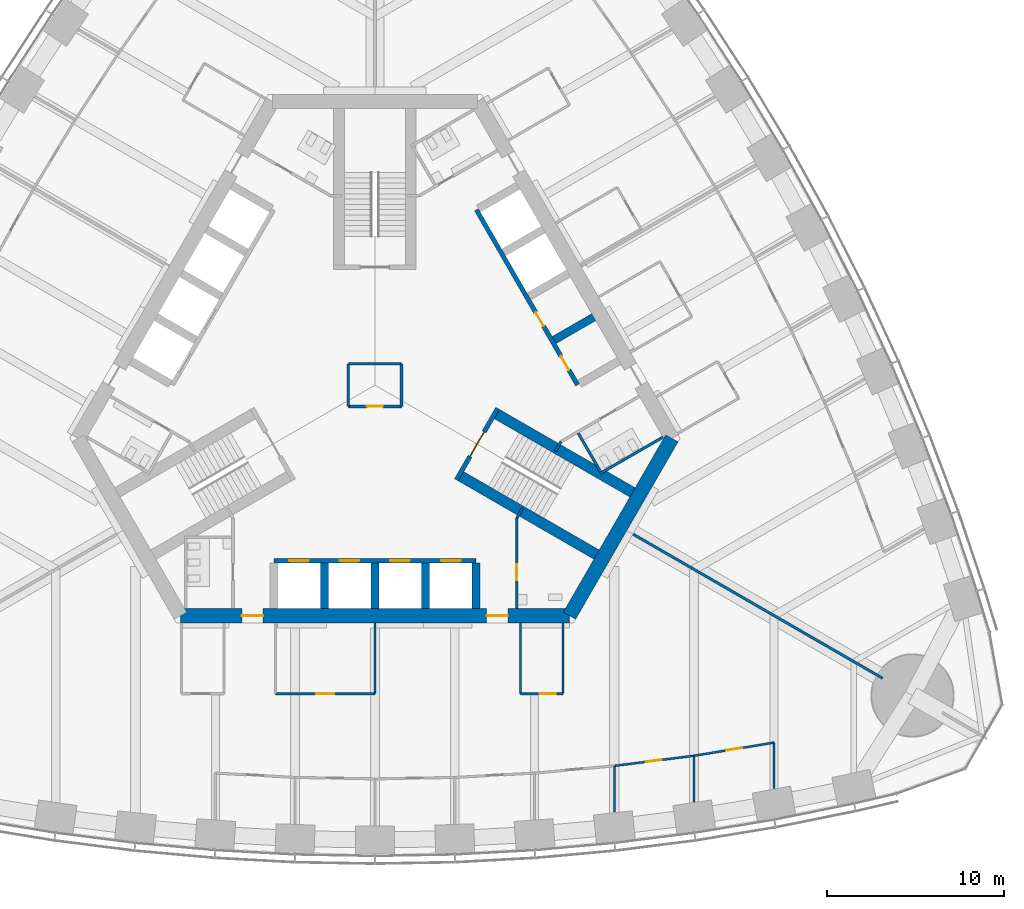
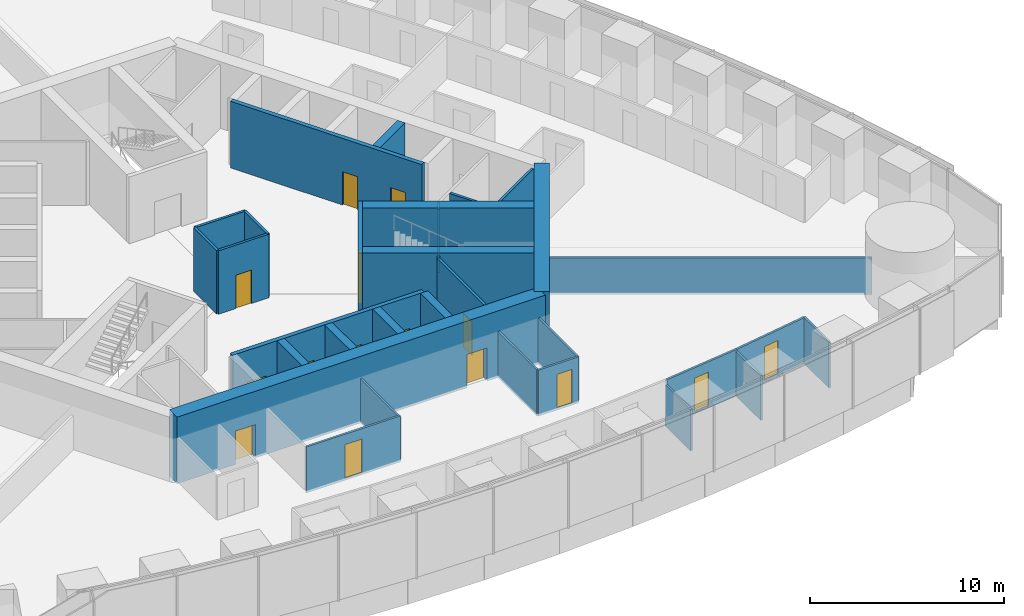
# One storey, part 11 of 19: 32 walls, 15 doors, 15 openings.
"""IFC4 building model written with IfcOpenShell, lengths in metres."""

from ifc_helpers import new_model, si_unit, direction, frame, frame_2d, origin, place, context, subcontext, project, spatial, rectangle, extrude, material, layer, layer_set, type_object, element, fill, save


model = new_model("IFC4")

# Units and contexts
model_context = context("Model", 3, precision=1e-05, world=origin(), true_north=direction((0.0, 1.0)))
body_context = subcontext(model_context, "Body", "Model", "MODEL_VIEW")
ifc_project = project(units=[si_unit("LENGTHUNIT", "METRE"), si_unit("AREAUNIT", "SQUARE_METRE"), si_unit("VOLUMEUNIT", "CUBIC_METRE"), si_unit("PLANEANGLEUNIT", "RADIAN"), si_unit("MASSUNIT", "GRAM", prefix="KILO")], contexts=[model_context])

# Site, building, storey
site_placement = place(None, origin())
site = spatial("IfcSite", under=ifc_project, at=site_placement, CompositionType="ELEMENT")
building_placement = place(site_placement, origin())
building = spatial("IfcBuilding", under=site, at=building_placement, Name="Trefoil Bronze Tower", CompositionType="ELEMENT")
storey_placement = place(building_placement, frame((0.0, 0.0, 107.300048828125)))
storey = spatial("IfcBuildingStorey", under=building, at=storey_placement, Name="L24", CompositionType="ELEMENT", Elevation=107.300048828125)

# Wall, openings, doors
ifc_material_1 = material(Name="Concrete B80", Category="concrete")
ifc_layer_1 = layer(ifc_material_1, 0.800048828125)
ifc_layer_set_1 = layer_set([ifc_layer_1], Name="Core wall 800")
wall_type_1 = type_object("IfcWallType", Name="Core wall 800", PredefinedType="SHEAR", material=ifc_layer_set_1)
wall_1_placement = place(storey_placement, frame((-10.9697265625, -13.0, 0.0), z_axis=(0.0, 0.0, 1.0), x_axis=(1.0, 0.0, 0.0)))
wall_1 = element("IfcWall", 1, at=wall_1_placement, inside=storey, type_object=wall_type_1, Name="Core long wall 1 L24", PredefinedType="SHEAR", context=body_context, shape_type="SweptSolid", body=[
    extrude(rectangle(XDim=21.939453125, YDim=0.800048828125, at=frame_2d((10.9697265625, 0.0))), origin(), (0.0, 0.0, 1.0), 4.199951171875),
])
opening_1_placement = place(wall_1_placement, frame((17.269775390625, 0.0, 0.0)))
opening_1 = element("IfcOpeningElement", 2, at=opening_1_placement, cuts=wall_1, Name="Opening D2", PredefinedType="OPENING", context=body_context, shape_type="SweptSolid", body=[
    extrude(rectangle(XDim=1.199951171875, YDim=2.10009765625, at=frame_2d((0.60009765625, 1.050048828125))), frame((0.0, 0.409912109375, 0.0), z_axis=(0.0, -1.0, 0.0), x_axis=(1.0, 0.0, 0.0)), (0.0, 0.0, 1.0), 0.820068359375),
])
opening_2_placement = place(wall_1_placement, frame((3.4697265625, 0.0, 0.0)))
opening_2 = element("IfcOpeningElement", 3, at=opening_2_placement, cuts=wall_1, Name="Opening D2", PredefinedType="OPENING", context=body_context, shape_type="SweptSolid", body=[
    extrude(rectangle(XDim=1.199951171875, YDim=2.10009765625, at=frame_2d((0.60009765625, 1.050048828125))), frame((0.0, 0.409912109375, 0.0), z_axis=(0.0, -1.0, 0.0), x_axis=(1.0, 0.0, 0.0)), (0.0, 0.0, 1.0), 0.820068359375),
])
ifc_material_2 = material(Name="Steel door", Category="steel")
door_type_1 = type_object("IfcDoorType", Name="Lobby door 1200", OperationType="SINGLE_SWING_RIGHT", PredefinedType="DOOR", material=ifc_material_2)
door_1_placement = place(opening_1_placement, origin())
door_1 = element("IfcDoor", 4, at=door_1_placement, inside=storey, type_object=door_type_1, Name="Lobby door F1+ L24", OperationType="SINGLE_SWING_RIGHT", OverallHeight=2.10009765625, OverallWidth=1.199951171875, PredefinedType="DOOR", context=body_context, shape_type="SweptSolid", body=[
    extrude(rectangle(XDim=1.199951171875, YDim=2.10009765625, at=frame_2d((0.60009765625, 1.050048828125))), frame((0.0, 0.02490234375, 0.0), z_axis=(0.0, -1.0, 0.0), x_axis=(1.0, 0.0, 0.0)), (0.0, 0.0, 1.0), 0.050048828125),
])
fill(opening_1, door_1)
door_2_placement = place(opening_2_placement, origin())
door_2 = element("IfcDoor", 5, at=door_2_placement, inside=storey, type_object=door_type_1, Name="Lobby door F1- L24", OperationType="SINGLE_SWING_LEFT", OverallHeight=2.10009765625, OverallWidth=1.199951171875, PredefinedType="DOOR", context=body_context, shape_type="SweptSolid", body=[
    extrude(rectangle(XDim=1.199951171875, YDim=2.10009765625, at=frame_2d((0.60009765625, 1.050048828125))), frame((0.0, 0.02490234375, 0.0), z_axis=(0.0, -1.0, 0.0), x_axis=(1.0, 0.0, 0.0)), (0.0, 0.0, 1.0), 0.050048828125),
])
fill(opening_2, door_2)

# Wall
wall_2_placement = place(storey_placement, frame((10.9697265625, -13.0, 0.0), z_axis=(0.0, 0.0, 1.0), x_axis=(0.499995765644, 0.866027848477, 0.0)))
element("IfcWall", 6, at=wall_2_placement, inside=storey, type_object=wall_type_1, Name="Core short wall 1 L24", PredefinedType="SHEAR", context=body_context, shape_type="SweptSolid", body=[
    extrude(rectangle(XDim=11.546875, YDim=0.800048828125, at=frame_2d((5.7734375, 0.0))), origin(), (0.0, 0.0, 1.0), 4.199951171875),
])

# Wall, opening, door
ifc_material_3 = material(Name="Glazed partition", Category="glass")
ifc_layer_2 = layer(ifc_material_3, 0.1201171875)
ifc_layer_set_2 = layer_set([ifc_layer_2], Name="Glazed partition 120")
wall_type_2 = type_object("IfcWallType", Name="Glazed partition 120", PredefinedType="PARTITIONING", material=ifc_layer_set_2)
wall_3_placement = place(storey_placement, frame((8.199951171875, -17.39990234375, 0.0), z_axis=(0.0, 0.0, 1.0), x_axis=(1.0, 0.0, 0.0)))
wall_3 = element("IfcWall", 7, at=wall_3_placement, inside=storey, type_object=wall_type_2, Name="Partition F1 L24", PredefinedType="PARTITIONING", context=body_context, shape_type="SweptSolid", body=[
    extrude(rectangle(XDim=2.400146484375, YDim=0.1201171875, at=frame_2d((1.2001953125, 0.0))), origin(), (0.0, 0.0, 1.0), 2.89990234375),
])
opening_3_placement = place(wall_3_placement, frame((1.10009765625, 0.0, 0.14990234375)))
opening_3 = element("IfcOpeningElement", 8, at=opening_3_placement, cuts=wall_3, Name="Opening D8", PredefinedType="OPENING", context=body_context, shape_type="SweptSolid", body=[
    extrude(rectangle(XDim=0.89990234375, YDim=2.10009765625, at=frame_2d((0.449951171875, 1.050048828125))), frame((0.0, 0.070068359375, 0.0), z_axis=(0.0, -1.0, 0.0), x_axis=(1.0, 0.0, 0.0)), (0.0, 0.0, 1.0), 0.14013671875),
])
ifc_material_4 = material(Name="Timber door", Category="wood")
door_type_2 = type_object("IfcDoorType", Name="Office door 900", OperationType="SINGLE_SWING_LEFT", PredefinedType="DOOR", material=ifc_material_4)
door_3_placement = place(opening_3_placement, origin())
door_3 = element("IfcDoor", 9, at=door_3_placement, inside=storey, type_object=door_type_2, Name="Print and store room door F1 L24", OperationType="SINGLE_SWING_RIGHT", OverallHeight=2.10009765625, OverallWidth=0.89990234375, PredefinedType="DOOR", context=body_context, shape_type="SweptSolid", body=[
    extrude(rectangle(XDim=0.89990234375, YDim=2.10009765625, at=frame_2d((0.449951171875, 1.050048828125))), frame((0.0, 0.02490234375, 0.0), z_axis=(0.0, -1.0, 0.0), x_axis=(1.0, 0.0, 0.0)), (0.0, 0.0, 1.0), 0.050048828125),
])
fill(opening_3, door_3)

wall_4_placement = place(storey_placement, frame((-5.60009765625, -17.39990234375, 0.0), z_axis=(0.0, 0.0, 1.0), x_axis=(1.0, 0.0, 0.0)))
wall_4 = element("IfcWall", 10, at=wall_4_placement, inside=storey, type_object=wall_type_2, Name="Partition F1 L24", PredefinedType="PARTITIONING", context=body_context, shape_type="SweptSolid", body=[
    extrude(rectangle(XDim=5.60009765625, YDim=0.1201171875, at=frame_2d((2.800048828125, 0.0))), origin(), (0.0, 0.0, 1.0), 2.89990234375),
])
opening_4_placement = place(wall_4_placement, frame((2.300048828125, 0.0, 0.14990234375)))
opening_4 = element("IfcOpeningElement", 11, at=opening_4_placement, cuts=wall_4, Name="Opening D9", PredefinedType="OPENING", context=body_context, shape_type="SweptSolid", body=[
    extrude(rectangle(XDim=1.0, YDim=2.10009765625, at=frame_2d((0.5, 1.050048828125))), frame((0.0, 0.070068359375, 0.0), z_axis=(0.0, -1.0, 0.0), x_axis=(1.0, 0.0, 0.0)), (0.0, 0.0, 1.0), 0.14013671875),
])
ifc_material_5 = material(Name="Glazed timber door", Category="wood")
door_type_3 = type_object("IfcDoorType", Name="Meeting room door 1000", OperationType="SINGLE_SWING_LEFT", PredefinedType="DOOR", material=ifc_material_5)
door_4_placement = place(opening_4_placement, origin())
door_4 = element("IfcDoor", 12, at=door_4_placement, inside=storey, type_object=door_type_3, Name="Meeting room door F1 L24", OperationType="SINGLE_SWING_LEFT", OverallHeight=2.10009765625, OverallWidth=1.0, PredefinedType="DOOR", context=body_context, shape_type="SweptSolid", body=[
    extrude(rectangle(XDim=1.0, YDim=2.10009765625, at=frame_2d((0.5, 1.050048828125))), frame((0.0, 0.02490234375, 0.0), z_axis=(0.0, -1.0, 0.0), x_axis=(1.0, 0.0, 0.0)), (0.0, 0.0, 1.0), 0.050048828125),
])
fill(opening_4, door_4)

# Walls
for number, where, z_axis, x_axis, name in (
    (13, (10.60009765625, -13.39990234375, 0.0), (0.0, 0.0, 1.0), (0.0, -1.0, 0.0), "Partition F1 L24"),
    (14, (8.199951171875, -13.39990234375, 0.0), (0.0, 0.0, 1.0), (0.0, -1.0, 0.0), "Partition F1 L24"),
):
    element("IfcWall", number, at=place(storey_placement, frame(where, z_axis=z_axis, x_axis=x_axis)), inside=storey, type_object=wall_type_2, Name=name, PredefinedType="PARTITIONING", context=body_context, shape_type="SweptSolid", body=[
        extrude(rectangle(XDim=4.0, YDim=0.1201171875, at=frame_2d((2.0, 0.0))), origin(), (0.0, 0.0, 1.0), 2.89990234375),
    ])
wall_5_placement = place(storey_placement, frame((0.0, -13.39990234375, 0.0), z_axis=(0.0, 0.0, 1.0), x_axis=(0.0, -1.0, 0.0)))
element("IfcWall", 15, at=wall_5_placement, inside=storey, type_object=wall_type_2, Name="Partition F1 L24", PredefinedType="PARTITIONING", context=body_context, shape_type="SweptSolid", body=[
    extrude(rectangle(XDim=4.0, YDim=0.1201171875, at=frame_2d((2.0, 0.0))), origin(), (0.0, 0.0, 1.0), 2.800048828125),
])

# Wall, opening, door
wall_6_placement = place(storey_placement, frame((13.5, -21.4677734375, 0.0), z_axis=(0.0, 0.0, 1.0), x_axis=(0.992010652594, 0.12615413247, 0.0)))
wall_6 = element("IfcWall", 16, at=wall_6_placement, inside=storey, type_object=wall_type_2, Name="Partition F1 L24", PredefinedType="PARTITIONING", context=body_context, shape_type="SweptSolid", body=[
    extrude(rectangle(XDim=4.5361328125, YDim=0.1201171875, at=frame_2d((2.26806640625, 0.0))), origin(), (0.0, 0.0, 1.0), 2.89990234375),
])
opening_5_placement = place(wall_6_placement, frame((1.800048828125, 0.0, 0.14990234375)))
opening_5 = element("IfcOpeningElement", 17, at=opening_5_placement, cuts=wall_6, Name="Opening D8", PredefinedType="OPENING", context=body_context, shape_type="SweptSolid", body=[
    extrude(rectangle(XDim=0.89990234375, YDim=2.10009765625, at=frame_2d((0.449951171875, 1.050048828125))), frame((0.0, 0.070068359375, 0.0), z_axis=(0.0, -1.0, 0.0), x_axis=(1.0, 0.0, 0.0)), (0.0, 0.0, 1.0), 0.14013671875),
])
door_5_placement = place(opening_5_placement, frame((0.89990234375, 0.0, 0.0), z_axis=(0.0, 0.0, 1.0), x_axis=(-1.0, 0.0, 0.0)))
door_5 = element("IfcDoor", 18, at=door_5_placement, inside=storey, type_object=door_type_2, Name="Office door F1 L24", OperationType="SINGLE_SWING_RIGHT", OverallHeight=2.10009765625, OverallWidth=0.89990234375, PredefinedType="DOOR", context=body_context, shape_type="SweptSolid", body=[
    extrude(rectangle(XDim=0.89990234375, YDim=2.10009765625, at=frame_2d((0.449951171875, 1.050048828125))), frame((0.0, 0.02490234375, 0.0), z_axis=(0.0, -1.0, 0.0), x_axis=(1.0, 0.0, 0.0)), (0.0, 0.0, 1.0), 0.050048828125),
])
fill(opening_5, door_5)

wall_7_placement = place(storey_placement, frame((18.0, -20.8955078125, 0.0), z_axis=(0.0, 0.0, 1.0), x_axis=(0.986764681833, 0.162158757664, 0.0)))
wall_7 = element("IfcWall", 19, at=wall_7_placement, inside=storey, type_object=wall_type_2, Name="Partition F1 L24", PredefinedType="PARTITIONING", context=body_context, shape_type="SweptSolid", body=[
    extrude(rectangle(XDim=4.560302734375, YDim=0.1201171875, at=frame_2d((2.2802734375, 0.0))), origin(), (0.0, 0.0, 1.0), 2.89990234375),
])
opening_6_placement = place(wall_7_placement, frame((1.85009765625, 0.0, 0.14990234375)))
opening_6 = element("IfcOpeningElement", 20, at=opening_6_placement, cuts=wall_7, Name="Opening D8", PredefinedType="OPENING", context=body_context, shape_type="SweptSolid", body=[
    extrude(rectangle(XDim=0.89990234375, YDim=2.10009765625, at=frame_2d((0.449951171875, 1.050048828125))), frame((0.0, 0.070068359375, 0.0), z_axis=(0.0, -1.0, 0.0), x_axis=(1.0, 0.0, 0.0)), (0.0, 0.0, 1.0), 0.14013671875),
])
door_6_placement = place(opening_6_placement, frame((0.89990234375, 0.0, 0.0), z_axis=(0.0, 0.0, 1.0), x_axis=(-1.0, 0.0, 0.0)))
door_6 = element("IfcDoor", 21, at=door_6_placement, inside=storey, type_object=door_type_2, Name="Office door F1 L24", OperationType="SINGLE_SWING_LEFT", OverallHeight=2.10009765625, OverallWidth=0.89990234375, PredefinedType="DOOR", context=body_context, shape_type="SweptSolid", body=[
    extrude(rectangle(XDim=0.89990234375, YDim=2.10009765625, at=frame_2d((0.449951171875, 1.050048828125))), frame((0.0, 0.02490234375, 0.0), z_axis=(0.0, -1.0, 0.0), x_axis=(1.0, 0.0, 0.0)), (0.0, 0.0, 1.0), 0.050048828125),
])
fill(opening_6, door_6)

# Walls
wall_8_placement = place(storey_placement, frame((13.5, -21.4677734375, 0.0), z_axis=(0.0, 0.0, 1.0), x_axis=(0.0, -1.0, 0.0)))
element("IfcWall", 22, at=wall_8_placement, inside=storey, type_object=wall_type_2, Name="Partition F1 L24", PredefinedType="PARTITIONING", context=body_context, shape_type="SweptSolid", body=[
    extrude(rectangle(XDim=2.6103515625, YDim=0.1201171875, at=frame_2d((1.30517578125, 0.0))), origin(), (0.0, 0.0, 1.0), 2.599853515625),
])
wall_9_placement = place(storey_placement, frame((18.0, -20.8955078125, 0.0), z_axis=(0.0, 0.0, 1.0), x_axis=(0.0, -1.0, 0.0)))
element("IfcWall", 23, at=wall_9_placement, inside=storey, type_object=wall_type_2, Name="Partition F1 L24", PredefinedType="PARTITIONING", context=body_context, shape_type="SweptSolid", body=[
    extrude(rectangle(XDim=2.60302734375, YDim=0.1201171875, at=frame_2d((1.301513671875, 0.0))), origin(), (0.0, 0.0, 1.0), 2.800048828125),
])
wall_10_placement = place(storey_placement, frame((22.5, -20.156005859375, 0.0), z_axis=(0.0, 0.0, 1.0), x_axis=(0.0, -1.0, 0.0)))
element("IfcWall", 24, at=wall_10_placement, inside=storey, type_object=wall_type_2, Name="Partition F1 L24", PredefinedType="PARTITIONING", context=body_context, shape_type="SweptSolid", body=[
    extrude(rectangle(XDim=2.593017578125, YDim=0.1201171875, at=frame_2d((1.29638671875, 0.0))), origin(), (0.0, 0.0, 1.0), 2.89990234375),
])
ifc_material_6 = material(Name="Concrete B80", Category="concrete")
ifc_layer_3 = layer(ifc_material_6, 0.449951171875)
ifc_layer_set_3 = layer_set([ifc_layer_3], Name="Outrigger shaft wall 450")
wall_type_3 = type_object("IfcWallType", Name="Outrigger shaft wall 450", PredefinedType="SHEAR", material=ifc_layer_set_3)
for number, where, z_axis, x_axis, name in (
    (25, (-2.85009765625, -10.02490234375, 0.0), (0.0, 0.0, 1.0), (0.0, -1.0, 0.0), "Lift shaft side wall A1 L24"),
    (26, (0.0, -10.02490234375, 0.0), (0.0, 0.0, 1.0), (0.0, -1.0, 0.0), "Lift shaft side wall A2 L24"),
    (27, (2.85009765625, -10.02490234375, 0.0), (0.0, 0.0, 1.0), (0.0, -1.0, 0.0), "Lift shaft side wall A3 L24"),
    (28, (5.699951171875, -10.02490234375, 0.0), (0.0, 0.0, 1.0), (0.0, -1.0, 0.0), "Lift shaft side wall A4 L24"),
):
    element("IfcWall", number, at=place(storey_placement, frame(where, z_axis=z_axis, x_axis=x_axis)), inside=storey, type_object=wall_type_3, Name=name, PredefinedType="SHEAR", context=body_context, shape_type="SweptSolid", body=[
        extrude(rectangle(XDim=2.5751953125, YDim=0.449951171875, at=frame_2d((1.28759765625, 0.0))), origin(), (0.0, 0.0, 1.0), 4.199951171875),
    ])
wall_11_placement = place(storey_placement, frame((10.10693359375, 2.54443359375, 0.0), z_axis=(0.0, 0.0, 1.0), x_axis=(0.866046643894, 0.499963209246, 0.0)))
element("IfcWall", 29, at=wall_11_placement, inside=storey, type_object=wall_type_3, Name="Lift shaft side wall B1 L24", PredefinedType="SHEAR", context=body_context, shape_type="SweptSolid", body=[
    extrude(rectangle(XDim=2.574951171875, YDim=0.449951171875, at=frame_2d((1.28759765625, 0.0))), origin(), (0.0, 0.0, 1.0), 4.199951171875),
])

# Wall, opening, door
ifc_material_7 = material(Name="Gypsum board on steel studs", Category="steel")
ifc_layer_4 = layer(ifc_material_7, 0.14990234375)
ifc_layer_set_4 = layer_set([ifc_layer_4], Name="Partition 150")
wall_type_4 = type_object("IfcWallType", Name="Partition 150", PredefinedType="PARTITIONING", material=ifc_layer_set_4)
wall_12_placement = place(storey_placement, frame((8.0, -7.5, 0.0), z_axis=(0.0, 0.0, 1.0), x_axis=(0.0, -1.0, 0.0)))
wall_12 = element("IfcWall", 30, at=wall_12_placement, inside=storey, type_object=wall_type_4, Name="Passage wall F1+ L24", PredefinedType="PARTITIONING", context=body_context, shape_type="SweptSolid", body=[
    extrude(rectangle(XDim=5.10009765625, YDim=0.14990234375, at=frame_2d((2.550048828125, 0.0))), origin(), (0.0, 0.0, 1.0), 4.0),
])
opening_7_placement = place(wall_12_placement, frame((2.60009765625, 0.0, 0.0)))
opening_7 = element("IfcOpeningElement", 31, at=opening_7_placement, cuts=wall_12, Name="Opening D3", PredefinedType="OPENING", context=body_context, shape_type="SweptSolid", body=[
    extrude(rectangle(XDim=0.89990234375, YDim=2.10009765625, at=frame_2d((0.449951171875, 1.050048828125))), frame((0.0, 0.0849609375, 0.0), z_axis=(0.0, -1.0, 0.0), x_axis=(1.0, 0.0, 0.0)), (0.0, 0.0, 1.0), 0.169921875),
])
ifc_material_8 = material(Name="Timber door", Category="wood")
door_type_4 = type_object("IfcDoorType", Name="WC door 900", OperationType="SINGLE_SWING_LEFT", PredefinedType="DOOR", material=ifc_material_8)
door_7_placement = place(opening_7_placement, origin())
door_7 = element("IfcDoor", 32, at=door_7_placement, inside=storey, type_object=door_type_4, Name="Accessible WC door L24", OperationType="SINGLE_SWING_RIGHT", OverallHeight=2.10009765625, OverallWidth=0.89990234375, PredefinedType="DOOR", context=body_context, shape_type="SweptSolid", body=[
    extrude(rectangle(XDim=0.89990234375, YDim=2.10009765625, at=frame_2d((0.449951171875, 1.050048828125))), frame((0.0, 0.02490234375, 0.0), z_axis=(0.0, -1.0, 0.0), x_axis=(1.0, 0.0, 0.0)), (0.0, 0.0, 1.0), 0.050048828125),
])
fill(opening_7, door_7)

# Walls
for number, where, z_axis, x_axis, name in (
    (33, (8.0, -7.5, 0.0), (0.0, 0.0, 1.0), (0.499842556608, 0.866116284689, 0.0), "WC wall ST1-1 L24"),
    (34, (10.4951171875, -3.17822265625, 0.0), (0.0, 0.0, 1.0), (-0.499842556608, -0.866116284689, 0.0), "WC wall ST1+1 L24"),
):
    element("IfcWall", number, at=place(storey_placement, frame(where, z_axis=z_axis, x_axis=x_axis)), inside=storey, type_object=wall_type_4, Name=name, PredefinedType="PARTITIONING", context=body_context, shape_type="SweptSolid", body=[
        extrude(rectangle(XDim=0.645263671875, YDim=0.14990234375, at=frame_2d((0.32275390625, 0.0))), origin(), (0.0, 0.0, 1.0), 4.0),
    ])
wall_13_placement = place(storey_placement, frame((12.691162109375, -4.98193359375, 0.0), z_axis=(0.0, 0.0, 1.0), x_axis=(0.8660249478, 0.500000789788, 0.0)))
element("IfcWall", 35, at=wall_13_placement, inside=storey, type_object=wall_type_4, Name="WC partition WC (women) L24", PredefinedType="PARTITIONING", context=body_context, shape_type="SweptSolid", body=[
    extrude(rectangle(XDim=4.10009765625, YDim=0.14990234375, at=frame_2d((2.050048828125, 0.0))), origin(), (0.0, 0.0, 1.0), 4.0),
])
wall_14_placement = place(storey_placement, frame((11.463623046875, -2.70556640625, 0.0), z_axis=(0.0, 0.0, 1.0), x_axis=(0.50001992892, -0.866013897511, 0.0)))
element("IfcWall", 36, at=wall_14_placement, inside=storey, type_object=wall_type_4, Name="WC partition WC (women) L24", PredefinedType="PARTITIONING", context=body_context, shape_type="SweptSolid", body=[
    extrude(rectangle(XDim=2.51025390625, YDim=0.14990234375, at=frame_2d((1.255126953125, 0.0))), origin(), (0.0, 0.0, 1.0), 4.0),
])
ifc_material_9 = material(Name="Gypsum board on steel studs", Category="steel")
ifc_layer_5 = layer(ifc_material_9, 0.14990234375)
ifc_layer_set_5 = layer_set([ifc_layer_5], Name="Party wall 150")
wall_type_5 = type_object("IfcWallType", Name="Party wall 150", PredefinedType="PARTITIONING", material=ifc_layer_set_5)
wall_15_placement = place(storey_placement, frame((14.202880859375, -8.199951171875, 0.0), z_axis=(0.0, 0.0, 1.0), x_axis=(0.866024668836, -0.500001272966, 0.0)))
element("IfcWall", 37, at=wall_15_placement, inside=storey, type_object=wall_type_5, Name="Party wall K1 L24", PredefinedType="PARTITIONING", context=body_context, shape_type="SweptSolid", body=[
    extrude(rectangle(XDim=16.64990234375, YDim=0.14990234375, at=frame_2d((8.324951171875, 0.0))), origin(), (0.0, 0.0, 1.0), 2.300048828125),
])

# Wall, opening, door
ifc_material_10 = material(Name="Gypsum board on steel studs", Category="steel")
ifc_layer_6 = layer(ifc_material_10, 0.14990234375)
ifc_layer_set_6 = layer_set([ifc_layer_6], Name="Riser wall 150")
wall_type_6 = type_object("IfcWallType", Name="Riser wall 150", PredefinedType="PARTITIONING", material=ifc_layer_set_6)
wall_16_placement = place(storey_placement, frame((-1.5, -1.199951171875, 0.0), z_axis=(0.0, 0.0, 1.0), x_axis=(1.0, 0.0, 0.0)))
wall_16 = element("IfcWall", 38, at=wall_16_placement, inside=storey, type_object=wall_type_6, Name="Riser wall L24", PredefinedType="PARTITIONING", context=body_context, shape_type="SweptSolid", body=[
    extrude(rectangle(XDim=3.0, YDim=0.14990234375, at=frame_2d((1.5, 0.0))), origin(), (0.0, 0.0, 1.0), 4.0),
])
opening_8_placement = place(wall_16_placement, frame((1.050048828125, 0.0, 0.0)))
opening_8 = element("IfcOpeningElement", 39, at=opening_8_placement, cuts=wall_16, Name="Opening D4", PredefinedType="OPENING", context=body_context, shape_type="SweptSolid", body=[
    extrude(rectangle(XDim=0.89990234375, YDim=2.10009765625, at=frame_2d((0.449951171875, 1.050048828125))), frame((0.0, 0.0849609375, 0.0), z_axis=(0.0, -1.0, 0.0), x_axis=(1.0, 0.0, 0.0)), (0.0, 0.0, 1.0), 0.169921875),
])
ifc_material_11 = material(Name="Steel door", Category="steel")
door_type_5 = type_object("IfcDoorType", Name="Riser door 900", OperationType="SINGLE_SWING_LEFT", PredefinedType="DOOR", material=ifc_material_11)
door_8_placement = place(opening_8_placement, frame((0.89990234375, 0.0, 0.0), z_axis=(0.0, 0.0, 1.0), x_axis=(-1.0, 0.0, 0.0)))
door_8 = element("IfcDoor", 40, at=door_8_placement, inside=storey, type_object=door_type_5, Name="Riser door L24", OperationType="SINGLE_SWING_LEFT", OverallHeight=2.10009765625, OverallWidth=0.89990234375, PredefinedType="DOOR", context=body_context, shape_type="SweptSolid", body=[
    extrude(rectangle(XDim=0.89990234375, YDim=2.10009765625, at=frame_2d((0.449951171875, 1.050048828125))), frame((0.0, 0.02490234375, 0.0), z_axis=(0.0, -1.0, 0.0), x_axis=(1.0, 0.0, 0.0)), (0.0, 0.0, 1.0), 0.050048828125),
])
fill(opening_8, door_8)

# Walls
wall_17_placement = place(storey_placement, frame((1.5, -1.199951171875, 0.0), z_axis=(0.0, 0.0, 1.0), x_axis=(0.0, 1.0, 0.0)))
element("IfcWall", 41, at=wall_17_placement, inside=storey, type_object=wall_type_6, Name="Riser wall L24", PredefinedType="PARTITIONING", context=body_context, shape_type="SweptSolid", body=[
    extrude(rectangle(XDim=2.39990234375, YDim=0.14990234375, at=frame_2d((1.199951171875, 0.0))), origin(), (0.0, 0.0, 1.0), 4.0),
])
wall_18_placement = place(storey_placement, frame((1.5, 1.199951171875, 0.0), z_axis=(0.0, 0.0, 1.0), x_axis=(-1.0, 0.0, 0.0)))
element("IfcWall", 42, at=wall_18_placement, inside=storey, type_object=wall_type_6, Name="Riser wall L24", PredefinedType="PARTITIONING", context=body_context, shape_type="SweptSolid", body=[
    extrude(rectangle(XDim=3.0, YDim=0.14990234375, at=frame_2d((1.5, 0.0))), origin(), (0.0, 0.0, 1.0), 4.0),
])
wall_19_placement = place(storey_placement, frame((-1.5, 1.199951171875, 0.0), z_axis=(0.0, 0.0, 1.0), x_axis=(0.0, -1.0, 0.0)))
element("IfcWall", 43, at=wall_19_placement, inside=storey, type_object=wall_type_6, Name="Riser wall L24", PredefinedType="PARTITIONING", context=body_context, shape_type="SweptSolid", body=[
    extrude(rectangle(XDim=2.39990234375, YDim=0.14990234375, at=frame_2d((1.199951171875, 0.0))), origin(), (0.0, 0.0, 1.0), 4.0),
])

# Wall, openings, doors
ifc_material_12 = material(Name="Concrete B80", Category="concrete")
ifc_layer_7 = layer(ifc_material_12, 0.25)
ifc_layer_set_7 = layer_set([ifc_layer_7], Name="Shaft wall 250")
wall_type_7 = type_object("IfcWallType", Name="Shaft wall 250", PredefinedType="SHEAR", material=ifc_layer_set_7)
wall_20_placement = place(storey_placement, frame((-5.699951171875, -9.89990234375, 0.0), z_axis=(0.0, 0.0, 1.0), x_axis=(1.0, 0.0, 0.0)))
wall_20 = element("IfcWall", 44, at=wall_20_placement, inside=storey, type_object=wall_type_7, Name="Lift shaft front wall A L24", PredefinedType="SHEAR", context=body_context, shape_type="SweptSolid", body=[
    extrude(rectangle(XDim=11.39990234375, YDim=0.25, at=frame_2d((5.699951171875, 0.0))), origin(), (0.0, 0.0, 1.0), 4.199951171875),
])
opening_9_placement = place(wall_20_placement, frame((0.875, 0.0, 0.0)))
opening_9 = element("IfcOpeningElement", 45, at=opening_9_placement, cuts=wall_20, Name="Opening LD-P21", PredefinedType="OPENING", context=body_context, shape_type="SweptSolid", body=[
    extrude(rectangle(XDim=1.10009765625, YDim=2.199951171875, at=frame_2d((0.550048828125, 1.10009765625))), frame((0.0, 0.135009765625, 0.0), z_axis=(0.0, -1.0, 0.0), x_axis=(1.0, 0.0, 0.0)), (0.0, 0.0, 1.0), 0.27001953125),
])
opening_10_placement = place(wall_20_placement, frame((3.72509765625, 0.0, 0.0)))
opening_10 = element("IfcOpeningElement", 46, at=opening_10_placement, cuts=wall_20, Name="Opening LD-P22", PredefinedType="OPENING", context=body_context, shape_type="SweptSolid", body=[
    extrude(rectangle(XDim=1.10009765625, YDim=2.199951171875, at=frame_2d((0.550048828125, 1.10009765625))), frame((0.0, 0.135009765625, 0.0), z_axis=(0.0, -1.0, 0.0), x_axis=(1.0, 0.0, 0.0)), (0.0, 0.0, 1.0), 0.27001953125),
])
opening_11_placement = place(wall_20_placement, frame((6.574951171875, 0.0, 0.0)))
opening_11 = element("IfcOpeningElement", 47, at=opening_11_placement, cuts=wall_20, Name="Opening LD-P23", PredefinedType="OPENING", context=body_context, shape_type="SweptSolid", body=[
    extrude(rectangle(XDim=1.10009765625, YDim=2.199951171875, at=frame_2d((0.550048828125, 1.10009765625))), frame((0.0, 0.135009765625, 0.0), z_axis=(0.0, -1.0, 0.0), x_axis=(1.0, 0.0, 0.0)), (0.0, 0.0, 1.0), 0.27001953125),
])
opening_12_placement = place(wall_20_placement, frame((9.425048828125, 0.0, 0.0)))
opening_12 = element("IfcOpeningElement", 48, at=opening_12_placement, cuts=wall_20, Name="Opening LD-P24", PredefinedType="OPENING", context=body_context, shape_type="SweptSolid", body=[
    extrude(rectangle(XDim=1.10009765625, YDim=2.199951171875, at=frame_2d((0.550048828125, 1.10009765625))), frame((0.0, 0.135009765625, 0.0), z_axis=(0.0, -1.0, 0.0), x_axis=(1.0, 0.0, 0.0)), (0.0, 0.0, 1.0), 0.27001953125),
])
ifc_material_13 = material(Name="Steel door", Category="steel")
door_type_6 = type_object("IfcDoorType", Name="Lift landing door 1100", OperationType="DOUBLE_DOOR_SLIDING", PredefinedType="DOOR", material=ifc_material_13)
door_9_placement = place(opening_9_placement, origin())
door_9 = element("IfcDoor", 49, at=door_9_placement, inside=storey, type_object=door_type_6, Name="Lift P21 landing door L24", OperationType="DOUBLE_DOOR_SLIDING", OverallHeight=2.199951171875, OverallWidth=1.10009765625, PredefinedType="DOOR", context=body_context, shape_type="SweptSolid", body=[
    extrude(rectangle(XDim=1.10009765625, YDim=2.199951171875, at=frame_2d((0.550048828125, 1.10009765625))), frame((0.0, 0.02490234375, 0.0), z_axis=(0.0, -1.0, 0.0), x_axis=(1.0, 0.0, 0.0)), (0.0, 0.0, 1.0), 0.050048828125),
])
fill(opening_9, door_9)
door_10_placement = place(opening_10_placement, origin())
door_10 = element("IfcDoor", 50, at=door_10_placement, inside=storey, type_object=door_type_6, Name="Lift P22 landing door L24", OperationType="DOUBLE_DOOR_SLIDING", OverallHeight=2.199951171875, OverallWidth=1.10009765625, PredefinedType="DOOR", context=body_context, shape_type="SweptSolid", body=[
    extrude(rectangle(XDim=1.10009765625, YDim=2.199951171875, at=frame_2d((0.550048828125, 1.10009765625))), frame((0.0, 0.02490234375, 0.0), z_axis=(0.0, -1.0, 0.0), x_axis=(1.0, 0.0, 0.0)), (0.0, 0.0, 1.0), 0.050048828125),
])
fill(opening_10, door_10)
door_11_placement = place(opening_11_placement, origin())
door_11 = element("IfcDoor", 51, at=door_11_placement, inside=storey, type_object=door_type_6, Name="Lift P23 landing door L24", OperationType="DOUBLE_DOOR_SLIDING", OverallHeight=2.199951171875, OverallWidth=1.10009765625, PredefinedType="DOOR", context=body_context, shape_type="SweptSolid", body=[
    extrude(rectangle(XDim=1.10009765625, YDim=2.199951171875, at=frame_2d((0.550048828125, 1.10009765625))), frame((0.0, 0.02490234375, 0.0), z_axis=(0.0, -1.0, 0.0), x_axis=(1.0, 0.0, 0.0)), (0.0, 0.0, 1.0), 0.050048828125),
])
fill(opening_11, door_11)
door_12_placement = place(opening_12_placement, origin())
door_12 = element("IfcDoor", 52, at=door_12_placement, inside=storey, type_object=door_type_6, Name="Lift P24 landing door L24", OperationType="DOUBLE_DOOR_SLIDING", OverallHeight=2.199951171875, OverallWidth=1.10009765625, PredefinedType="DOOR", context=body_context, shape_type="SweptSolid", body=[
    extrude(rectangle(XDim=1.10009765625, YDim=2.199951171875, at=frame_2d((0.550048828125, 1.10009765625))), frame((0.0, 0.02490234375, 0.0), z_axis=(0.0, -1.0, 0.0), x_axis=(1.0, 0.0, 0.0)), (0.0, 0.0, 1.0), 0.050048828125),
])
fill(opening_12, door_12)

wall_21_placement = place(storey_placement, frame((11.423583984375, 0.013671875, 0.0), z_axis=(0.0, 0.0, 1.0), x_axis=(-0.500001763848, 0.866024385424, 0.0)))
wall_21 = element("IfcWall", 53, at=wall_21_placement, inside=storey, type_object=wall_type_7, Name="Lift shaft front wall B L24", PredefinedType="SHEAR", context=body_context, shape_type="SweptSolid", body=[
    extrude(rectangle(XDim=11.39990234375, YDim=0.25, at=frame_2d((5.699951171875, 0.0))), origin(), (0.0, 0.0, 1.0), 4.199951171875),
])
opening_13_placement = place(wall_21_placement, frame((0.97509765625, 0.0, 0.0)))
opening_13 = element("IfcOpeningElement", 54, at=opening_13_placement, cuts=wall_21, Name="Opening D12", PredefinedType="OPENING", context=body_context, shape_type="SweptSolid", body=[
    extrude(rectangle(XDim=0.89990234375, YDim=2.10009765625, at=frame_2d((0.449951171875, 1.050048828125))), frame((0.0, 0.135009765625, 0.0), z_axis=(0.0, -1.0, 0.0), x_axis=(1.0, 0.0, 0.0)), (0.0, 0.0, 1.0), 0.27001953125),
])
opening_14_placement = place(wall_21_placement, frame((3.824951171875, 0.0, 0.0)))
opening_14 = element("IfcOpeningElement", 55, at=opening_14_placement, cuts=wall_21, Name="Opening D12", PredefinedType="OPENING", context=body_context, shape_type="SweptSolid", body=[
    extrude(rectangle(XDim=0.89990234375, YDim=2.10009765625, at=frame_2d((0.449951171875, 1.050048828125))), frame((0.0, 0.135009765625, 0.0), z_axis=(0.0, -1.0, 0.0), x_axis=(1.0, 0.0, 0.0)), (0.0, 0.0, 1.0), 0.27001953125),
])
ifc_material_14 = material(Name="Steel door", Category="steel")
door_type_7 = type_object("IfcDoorType", Name="Shaft room door 900", OperationType="SINGLE_SWING_LEFT", PredefinedType="DOOR", material=ifc_material_14)
door_13_placement = place(opening_13_placement, frame((0.89990234375, 0.0, 0.0), z_axis=(0.0, 0.0, 1.0), x_axis=(-1.0, 0.0, 0.0)))
door_13 = element("IfcDoor", 56, at=door_13_placement, inside=storey, type_object=door_type_7, Name="Shaft room door B1 L24", OperationType="SINGLE_SWING_LEFT", OverallHeight=2.10009765625, OverallWidth=0.89990234375, PredefinedType="DOOR", context=body_context, shape_type="SweptSolid", body=[
    extrude(rectangle(XDim=0.89990234375, YDim=2.10009765625, at=frame_2d((0.449951171875, 1.050048828125))), frame((0.0, 0.02490234375, 0.0), z_axis=(0.0, -1.0, 0.0), x_axis=(1.0, 0.0, 0.0)), (0.0, 0.0, 1.0), 0.050048828125),
])
fill(opening_13, door_13)
door_14_placement = place(opening_14_placement, frame((0.89990234375, 0.0, 0.0), z_axis=(0.0, 0.0, 1.0), x_axis=(-1.0, 0.0, 0.0)))
door_14 = element("IfcDoor", 57, at=door_14_placement, inside=storey, type_object=door_type_7, Name="Shaft room door B2 L24", OperationType="SINGLE_SWING_RIGHT", OverallHeight=2.10009765625, OverallWidth=0.89990234375, PredefinedType="DOOR", context=body_context, shape_type="SweptSolid", body=[
    extrude(rectangle(XDim=0.89990234375, YDim=2.10009765625, at=frame_2d((0.449951171875, 1.050048828125))), frame((0.0, 0.02490234375, 0.0), z_axis=(0.0, -1.0, 0.0), x_axis=(1.0, 0.0, 0.0)), (0.0, 0.0, 1.0), 0.050048828125),
])
fill(opening_14, door_14)

# Wall, opening, door
wall_22_placement = place(storey_placement, frame((4.5966796875, -5.338623046875, 0.0), z_axis=(0.0, 0.0, 1.0), x_axis=(0.499984536904, 0.866034331223, 0.0)))
wall_22 = element("IfcWall", 58, at=wall_22_placement, inside=storey, type_object=wall_type_7, Name="Stair end wall ST1 L24", PredefinedType="SHEAR", context=body_context, shape_type="SweptSolid", body=[
    extrude(rectangle(XDim=4.650146484375, YDim=0.25, at=frame_2d((2.3251953125, 0.0))), origin(), (0.0, 0.0, 1.0), 4.199951171875),
])
opening_15_placement = place(wall_22_placement, frame((1.52490234375, 0.0, 0.0)))
opening_15 = element("IfcOpeningElement", 59, at=opening_15_placement, cuts=wall_22, Name="Opening D1", PredefinedType="OPENING", context=body_context, shape_type="SweptSolid", body=[
    extrude(rectangle(XDim=1.60009765625, YDim=2.10009765625, at=frame_2d((0.800048828125, 1.050048828125))), frame((0.0, 0.135009765625, 0.0), z_axis=(0.0, -1.0, 0.0), x_axis=(1.0, 0.0, 0.0)), (0.0, 0.0, 1.0), 0.27001953125),
])
ifc_material_15 = material(Name="Steel door", Category="steel")
door_type_8 = type_object("IfcDoorType", Name="Stair door 1600", OperationType="DOUBLE_DOOR_SINGLE_SWING", PredefinedType="DOOR", material=ifc_material_15)
door_15_placement = place(opening_15_placement, frame((1.60009765625, 0.0, 0.0), z_axis=(0.0, 0.0, 1.0), x_axis=(-1.0, 0.0, 0.0)))
door_15 = element("IfcDoor", 60, at=door_15_placement, inside=storey, type_object=door_type_8, Name="Stair door ST1 L24", OperationType="DOUBLE_DOOR_SINGLE_SWING", OverallHeight=2.10009765625, OverallWidth=1.60009765625, PredefinedType="DOOR", context=body_context, shape_type="SweptSolid", body=[
    extrude(rectangle(XDim=1.60009765625, YDim=2.10009765625, at=frame_2d((0.800048828125, 1.050048828125))), frame((0.0, 0.02490234375, 0.0), z_axis=(0.0, -1.0, 0.0), x_axis=(1.0, 0.0, 0.0)), (0.0, 0.0, 1.0), 0.050048828125),
])
fill(opening_15, door_15)

# Walls
ifc_material_16 = material(Name="Concrete B80", Category="concrete")
ifc_layer_8 = layer(ifc_material_16, 0.60009765625)
ifc_layer_set_8 = layer_set([ifc_layer_8], Name="Stair wall 600")
wall_type_8 = type_object("IfcWallType", Name="Stair wall 600", PredefinedType="SHEAR", material=ifc_layer_set_8)
for number, where, z_axis, x_axis, name in (
    (61, (4.638427734375, -5.01611328125, 0.0), (0.0, 0.0, 1.0), (0.866019375473, -0.500010441196, 0.0), "Stair wall ST1 L24"),
    (62, (6.663330078125, -1.5087890625, 0.0), (0.0, 0.0, 1.0), (0.866019375473, -0.500010441196, 0.0), "Stair wall ST1 L24"),
):
    element("IfcWall", number, at=place(storey_placement, frame(where, z_axis=z_axis, x_axis=x_axis)), inside=storey, type_object=wall_type_8, Name=name, PredefinedType="SHEAR", context=body_context, shape_type="SweptSolid", body=[
        extrude(rectangle(XDim=9.074951171875, YDim=0.60009765625, at=frame_2d((4.53759765625, 0.0))), origin(), (0.0, 0.0, 1.0), 4.199951171875),
    ])

save(model, "model.ifc")
